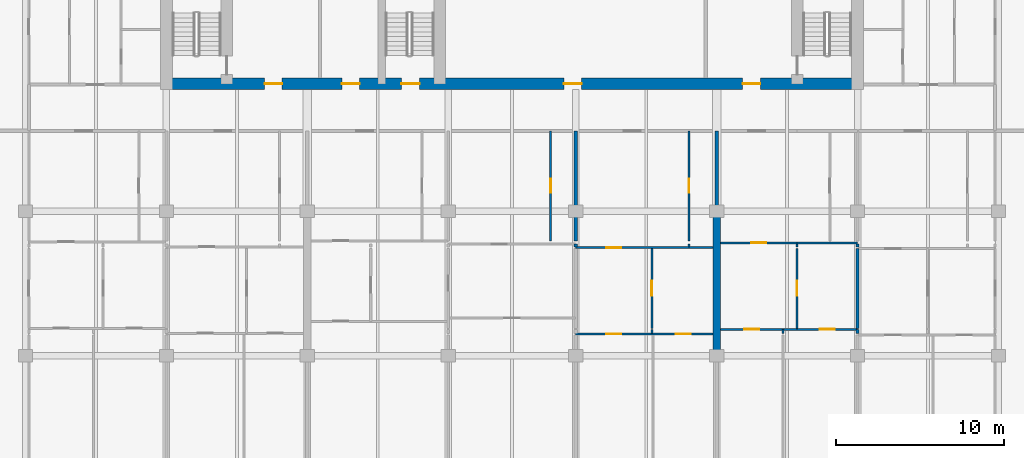
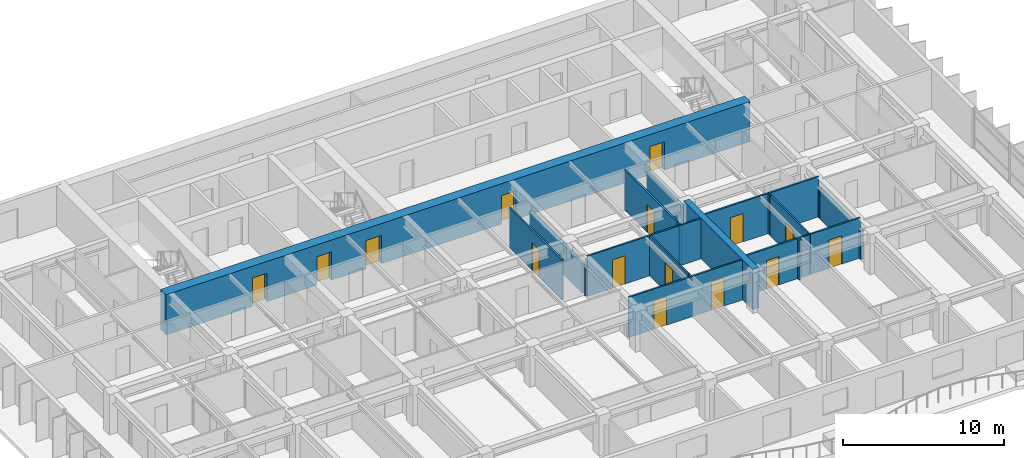
# One storey, part 10 of 17: 22 walls, 15 doors, 15 openings.
"""IFC4 building model written with IfcOpenShell, lengths in metres."""

from ifc_helpers import new_model, si_unit, direction, frame, frame_2d, origin, place, context, subcontext, project, spatial, rectangle, extrude, material, layer, layer_set, type_object, element, fill, save


model = new_model("IFC4")

# Units and contexts
model_context = context("Model", 3, precision=1e-05, world=origin(), true_north=direction((0.0, 1.0)))
body_context = subcontext(model_context, "Body", "Model", "MODEL_VIEW")
ifc_project = project(units=[si_unit("LENGTHUNIT", "METRE"), si_unit("AREAUNIT", "SQUARE_METRE"), si_unit("VOLUMEUNIT", "CUBIC_METRE"), si_unit("PLANEANGLEUNIT", "RADIAN"), si_unit("MASSUNIT", "GRAM", prefix="KILO")], contexts=[model_context])

# Site, building, storey
site_placement = place(None, origin())
site = spatial("IfcSite", under=ifc_project, at=site_placement, CompositionType="ELEMENT")
building_placement = place(site_placement, origin())
building = spatial("IfcBuilding", under=site, at=building_placement, Name="Caelmar Bay Residences", CompositionType="ELEMENT")
storey_placement = place(building_placement, frame((0.0, 0.0, 157.199951171875)))
storey = spatial("IfcBuildingStorey", under=building, at=storey_placement, Name="L43", CompositionType="ELEMENT", Elevation=157.199951171875)

# Wall, openings, doors
ifc_material_1 = material(Name="Concrete f'c 55 MPa (8,000 psi)", Category="concrete")
ifc_layer_1 = layer(ifc_material_1, 0.699951171875)
ifc_layer_set_1 = layer_set([ifc_layer_1], Name="Concrete f'c 55 MPa (8,000 psi)")
wall_type_1 = type_object("IfcWallType", Name="SW-COR-700", PredefinedType="SHEAR", material=ifc_layer_set_1)
wall_1_placement = place(storey_placement, frame((17.949951171875, 37.0, 0.0), z_axis=(0.0, 0.0, 1.0), x_axis=(1.0, 0.0, 0.0)))
wall_1 = element("IfcWall", 1, at=wall_1_placement, inside=storey, type_object=wall_type_1, Name="L43 Rear Core South Shear Wall", PredefinedType="SHEAR", context=body_context, shape_type="SweptSolid", body=[
    extrude(rectangle(XDim=41.900146484375, YDim=0.699951171875, at=frame_2d((20.9501953125, 0.0))), origin(), (0.0, 0.0, 1.0), 3.050048828125),
])
opening_1_placement = place(wall_1_placement, frame((14.35009765625, 0.0, 0.0)))
opening_1 = element("IfcOpeningElement", 2, at=opening_1_placement, cuts=wall_1, Name="Opening D-L43-105", PredefinedType="OPENING", context=body_context, shape_type="SweptSolid", body=[
    extrude(rectangle(XDim=1.10009765625, YDim=2.14990234375, at=frame_2d((0.550048828125, 1.074951171875))), frame((0.0, 0.35986328125, 0.0), z_axis=(0.0, -1.0, 0.0), x_axis=(1.0, 0.0, 0.0)), (0.0, 0.0, 1.0), 0.719970703125),
])
opening_2_placement = place(wall_1_placement, frame((6.199951171875, 0.0, 0.0)))
opening_2 = element("IfcOpeningElement", 3, at=opening_2_placement, cuts=wall_1, Name="Opening D-L43-106", PredefinedType="OPENING", context=body_context, shape_type="SweptSolid", body=[
    extrude(rectangle(XDim=1.050048828125, YDim=2.14990234375, at=frame_2d((0.52490234375, 1.074951171875))), frame((0.0, 0.35986328125, 0.0), z_axis=(0.0, -1.0, 0.0), x_axis=(1.0, 0.0, 0.0)), (0.0, 0.0, 1.0), 0.719970703125),
])
opening_3_placement = place(wall_1_placement, frame((34.699951171875, 0.0, 0.0)))
opening_3 = element("IfcOpeningElement", 4, at=opening_3_placement, cuts=wall_1, Name="Opening D-L43-109", PredefinedType="OPENING", context=body_context, shape_type="SweptSolid", body=[
    extrude(rectangle(XDim=1.050048828125, YDim=2.14990234375, at=frame_2d((0.52490234375, 1.074951171875))), frame((0.0, 0.35986328125, 0.0), z_axis=(0.0, -1.0, 0.0), x_axis=(1.0, 0.0, 0.0)), (0.0, 0.0, 1.0), 0.719970703125),
])
opening_4_placement = place(wall_1_placement, frame((10.8125, 0.0, 0.0)))
opening_4 = element("IfcOpeningElement", 5, at=opening_4_placement, cuts=wall_1, Name="Opening D-L43-112", PredefinedType="OPENING", context=body_context, shape_type="SweptSolid", body=[
    extrude(rectangle(XDim=1.050048828125, YDim=2.14990234375, at=frame_2d((0.52490234375, 1.074951171875))), frame((0.0, 0.35986328125, 0.0), z_axis=(0.0, -1.0, 0.0), x_axis=(1.0, 0.0, 0.0)), (0.0, 0.0, 1.0), 0.719970703125),
])
opening_5_placement = place(wall_1_placement, frame((24.050048828125, 0.0, 0.0)))
opening_5 = element("IfcOpeningElement", 6, at=opening_5_placement, cuts=wall_1, Name="Opening D-L43-113", PredefinedType="OPENING", context=body_context, shape_type="SweptSolid", body=[
    extrude(rectangle(XDim=1.050048828125, YDim=2.14990234375, at=frame_2d((0.52490234375, 1.074951171875))), frame((0.0, 0.35986328125, 0.0), z_axis=(0.0, -1.0, 0.0), x_axis=(1.0, 0.0, 0.0)), (0.0, 0.0, 1.0), 0.719970703125),
])
ifc_material_2 = material(Name="Fire-rated steel and walnut architectural door assembly", Category="steel")
ifc_layer_2 = layer(ifc_material_2, 0.050048828125)
ifc_layer_set_2 = layer_set([ifc_layer_2], Name="Fire-rated steel and walnut architectural door assembly")
door_type_1 = type_object("IfcDoorType", Name="D-FSAE-1050", OperationType="NOTDEFINED", PredefinedType="DOOR", material=ifc_layer_set_2)
door_1_placement = place(opening_2_placement, origin())
door_1 = element("IfcDoor", 7, at=door_1_placement, inside=storey, type_object=door_type_1, Name="L43 Firefighting Lobby West Door", OperationType="SINGLE_SWING_LEFT", OverallHeight=2.14990234375, OverallWidth=1.050048828125, PredefinedType="DOOR", context=body_context, shape_type="SweptSolid", body=[
    extrude(rectangle(XDim=1.050048828125, YDim=2.14990234375, at=frame_2d((0.52490234375, 1.074951171875))), frame((0.0, 0.02490234375, 0.0), z_axis=(0.0, -1.0, 0.0), x_axis=(1.0, 0.0, 0.0)), (0.0, 0.0, 1.0), 0.050048828125),
])
fill(opening_2, door_1)
door_2_placement = place(opening_3_placement, origin())
door_2 = element("IfcDoor", 8, at=door_2_placement, inside=storey, type_object=door_type_1, Name="L43 Firefighting Lobby East Door", OperationType="SINGLE_SWING_RIGHT", OverallHeight=2.14990234375, OverallWidth=1.050048828125, PredefinedType="DOOR", context=body_context, shape_type="SweptSolid", body=[
    extrude(rectangle(XDim=1.050048828125, YDim=2.14990234375, at=frame_2d((0.52490234375, 1.074951171875))), frame((0.0, 0.02490234375, 0.0), z_axis=(0.0, -1.0, 0.0), x_axis=(1.0, 0.0, 0.0)), (0.0, 0.0, 1.0), 0.050048828125),
])
fill(opening_3, door_2)
door_3_placement = place(opening_4_placement, origin())
door_3 = element("IfcDoor", 9, at=door_3_placement, inside=storey, type_object=door_type_1, Name="L43 West Lift Lobby Door", OperationType="SINGLE_SWING_LEFT", OverallHeight=2.14990234375, OverallWidth=1.050048828125, PredefinedType="DOOR", context=body_context, shape_type="SweptSolid", body=[
    extrude(rectangle(XDim=1.050048828125, YDim=2.14990234375, at=frame_2d((0.52490234375, 1.074951171875))), frame((0.0, 0.02490234375, 0.0), z_axis=(0.0, -1.0, 0.0), x_axis=(1.0, 0.0, 0.0)), (0.0, 0.0, 1.0), 0.050048828125),
])
fill(opening_4, door_3)
door_4_placement = place(opening_5_placement, origin())
door_4 = element("IfcDoor", 10, at=door_4_placement, inside=storey, type_object=door_type_1, Name="L43 Passenger Lift Lobby Door", OperationType="SINGLE_SWING_RIGHT", OverallHeight=2.14990234375, OverallWidth=1.050048828125, PredefinedType="DOOR", context=body_context, shape_type="SweptSolid", body=[
    extrude(rectangle(XDim=1.050048828125, YDim=2.14990234375, at=frame_2d((0.52490234375, 1.074951171875))), frame((0.0, 0.02490234375, 0.0), z_axis=(0.0, -1.0, 0.0), x_axis=(1.0, 0.0, 0.0)), (0.0, 0.0, 1.0), 0.050048828125),
])
fill(opening_5, door_4)
ifc_layer_3 = layer(ifc_material_2, 0.050048828125)
ifc_layer_set_3 = layer_set([ifc_layer_3], Name="Fire-rated steel and walnut architectural door assembly")
door_type_2 = type_object("IfcDoorType", Name="D-STAIR-1100", OperationType="NOTDEFINED", PredefinedType="DOOR", material=ifc_layer_set_3)
door_5_placement = place(opening_1_placement, origin())
door_5 = element("IfcDoor", 11, at=door_5_placement, inside=storey, type_object=door_type_2, Name="L43 Exit Stair ST3 Door", OperationType="SINGLE_SWING_RIGHT", OverallHeight=2.14990234375, OverallWidth=1.10009765625, PredefinedType="DOOR", context=body_context, shape_type="SweptSolid", body=[
    extrude(rectangle(XDim=1.10009765625, YDim=2.14990234375, at=frame_2d((0.550048828125, 1.074951171875))), frame((0.0, 0.02490234375, 0.0), z_axis=(0.0, -1.0, 0.0), x_axis=(1.0, 0.0, 0.0)), (0.0, 0.0, 1.0), 0.050048828125),
])
fill(opening_1, door_5)

# Wall
ifc_layer_4 = layer(ifc_material_1, 0.449951171875)
ifc_layer_set_4 = layer_set([ifc_layer_4], Name="Concrete f'c 55 MPa (8,000 psi)")
wall_type_2 = type_object("IfcWallType", Name="SW-XSLB-450", PredefinedType="SHEAR", material=ifc_layer_set_4)
wall_2_placement = place(storey_placement, frame((51.10009765625, 20.800048828125, 0.0), z_axis=(0.0, 0.0, 1.0), x_axis=(0.0, 1.0, 0.0)))
element("IfcWall", 12, at=wall_2_placement, inside=storey, type_object=wall_type_2, Name="L43 Transverse Cross-Slab Shear Wall E8", PredefinedType="SHEAR", context=body_context, shape_type="SweptSolid", body=[
    extrude(rectangle(XDim=8.599853515625, YDim=0.449951171875, at=frame_2d((4.2998046875, 0.0))), origin(), (0.0, 0.0, 1.0), 3.050048828125),
])

# Wall, opening, door
ifc_material_3 = material(Name="Acoustic metal-stud gypsum partition 120 mm")
ifc_layer_5 = layer(ifc_material_3, 0.1201171875)
ifc_layer_set_5 = layer_set([ifc_layer_5], Name="Acoustic metal-stud gypsum partition 120 mm")
wall_type_3 = type_object("IfcWallType", Name="W-PRT-120", PredefinedType="PARTITIONING", material=ifc_layer_set_5)
wall_3_placement = place(storey_placement, frame((41.199951171875, 27.639892578125, 0.0), z_axis=(0.0, 0.0, 1.0), x_axis=(0.0, 1.0, 0.0)))
wall_3 = element("IfcWall", 13, at=wall_3_placement, inside=storey, type_object=wall_type_3, Name="L43 Partition Wall V046", PredefinedType="PARTITIONING", context=body_context, shape_type="SweptSolid", body=[
    extrude(rectangle(XDim=6.56005859375, YDim=0.1201171875, at=frame_2d((3.280029296875, 0.0))), origin(), (0.0, 0.0, 1.0), 3.050048828125),
])
opening_6_placement = place(wall_3_placement, frame((2.85498046875, 0.0, 0.0)))
opening_6 = element("IfcOpeningElement", 14, at=opening_6_placement, cuts=wall_3, Name="Opening D-L43-139", PredefinedType="OPENING", context=body_context, shape_type="SweptSolid", body=[
    extrude(rectangle(XDim=0.85009765625, YDim=2.10009765625, at=frame_2d((0.425048828125, 1.050048828125))), frame((0.0, 0.070068359375, 0.0), z_axis=(0.0, -1.0, 0.0), x_axis=(1.0, 0.0, 0.0)), (0.0, 0.0, 1.0), 0.14013671875),
])
ifc_material_4 = material(Name="Solid walnut timber interior door leaf and frame", Category="wood")
ifc_layer_6 = layer(ifc_material_4, 0.050048828125)
ifc_layer_set_6 = layer_set([ifc_layer_6], Name="Solid walnut timber interior door leaf and frame")
door_type_3 = type_object("IfcDoorType", Name="D-BATH-850", OperationType="NOTDEFINED", PredefinedType="DOOR", material=ifc_layer_set_6)
door_6_placement = place(opening_6_placement, origin())
door_6 = element("IfcDoor", 15, at=door_6_placement, inside=storey, type_object=door_type_3, Name="L43 Residence 03 En-Suite Bathroom 1 Door", OperationType="SINGLE_SWING_RIGHT", OverallHeight=2.10009765625, OverallWidth=0.85009765625, PredefinedType="DOOR", context=body_context, shape_type="SweptSolid", body=[
    extrude(rectangle(XDim=0.85009765625, YDim=2.10009765625, at=frame_2d((0.425048828125, 1.050048828125))), frame((0.0, 0.02490234375, 0.0), z_axis=(0.0, -1.0, 0.0), x_axis=(1.0, 0.0, 0.0)), (0.0, 0.0, 1.0), 0.050048828125),
])
fill(opening_6, door_6)

# Wall
wall_4_placement = place(storey_placement, frame((47.236083984375, 22.1298828125, 0.0), z_axis=(0.0, 0.0, 1.0), x_axis=(0.0, 1.0, 0.0)))
element("IfcWall", 16, at=wall_4_placement, inside=storey, type_object=wall_type_3, Name="L43 Partition Wall V055", PredefinedType="PARTITIONING", context=body_context, shape_type="SweptSolid", body=[
    extrude(rectangle(XDim=0.240234375, YDim=0.1201171875, at=frame_2d((0.1201171875, 0.0))), origin(), (0.0, 0.0, 1.0), 3.050048828125),
])

# Wall, opening, door
wall_5_placement = place(storey_placement, frame((47.236083984375, 22.429931640625, 0.0), z_axis=(0.0, 0.0, 1.0), x_axis=(0.0, 1.0, 0.0)))
wall_5 = element("IfcWall", 17, at=wall_5_placement, inside=storey, type_object=wall_type_3, Name="L43 Partition Wall V056", PredefinedType="PARTITIONING", context=body_context, shape_type="SweptSolid", body=[
    extrude(rectangle(XDim=4.75, YDim=0.1201171875, at=frame_2d((2.375, 0.0))), origin(), (0.0, 0.0, 1.0), 3.050048828125),
])
opening_7_placement = place(wall_5_placement, frame((1.925048828125, 0.0, 0.0)))
opening_7 = element("IfcOpeningElement", 18, at=opening_7_placement, cuts=wall_5, Name="Opening D-L43-145", PredefinedType="OPENING", context=body_context, shape_type="SweptSolid", body=[
    extrude(rectangle(XDim=0.89990234375, YDim=2.14990234375, at=frame_2d((0.449951171875, 1.074951171875))), frame((0.0, 0.070068359375, 0.0), z_axis=(0.0, -1.0, 0.0), x_axis=(1.0, 0.0, 0.0)), (0.0, 0.0, 1.0), 0.14013671875),
])
ifc_layer_7 = layer(ifc_material_4, 0.050048828125)
ifc_layer_set_7 = layer_set([ifc_layer_7], Name="Solid walnut timber interior door leaf and frame")
door_type_4 = type_object("IfcDoorType", Name="D-ROOM-900", OperationType="NOTDEFINED", PredefinedType="DOOR", material=ifc_layer_set_7)
door_7_placement = place(opening_7_placement, origin())
door_7 = element("IfcDoor", 19, at=door_7_placement, inside=storey, type_object=door_type_4, Name="L43 Residence 04 Study Door", OperationType="SINGLE_SWING_RIGHT", OverallHeight=2.14990234375, OverallWidth=0.89990234375, PredefinedType="DOOR", context=body_context, shape_type="SweptSolid", body=[
    extrude(rectangle(XDim=0.89990234375, YDim=2.14990234375, at=frame_2d((0.449951171875, 1.074951171875))), frame((0.0, 0.02490234375, 0.0), z_axis=(0.0, -1.0, 0.0), x_axis=(1.0, 0.0, 0.0)), (0.0, 0.0, 1.0), 0.050048828125),
])
fill(opening_7, door_7)

# Wall
wall_6_placement = place(storey_placement, frame((49.449951171875, 27.280029296875, 0.0), z_axis=(0.0, 0.0, 1.0), x_axis=(0.0, 1.0, 0.0)))
element("IfcWall", 20, at=wall_6_placement, inside=storey, type_object=wall_type_3, Name="L43 Partition Wall V060", PredefinedType="PARTITIONING", context=body_context, shape_type="SweptSolid", body=[
    extrude(rectangle(XDim=0.159912109375, YDim=0.1201171875, at=frame_2d((0.080078125, 0.0))), origin(), (0.0, 0.0, 1.0), 3.050048828125),
])

# Wall, opening, door
wall_7_placement = place(storey_placement, frame((49.449951171875, 27.639892578125, 0.0), z_axis=(0.0, 0.0, 1.0), x_axis=(0.0, 1.0, 0.0)))
wall_7 = element("IfcWall", 21, at=wall_7_placement, inside=storey, type_object=wall_type_3, Name="L43 Partition Wall V061", PredefinedType="PARTITIONING", context=body_context, shape_type="SweptSolid", body=[
    extrude(rectangle(XDim=6.56005859375, YDim=0.1201171875, at=frame_2d((3.280029296875, 0.0))), origin(), (0.0, 0.0, 1.0), 3.050048828125),
])
opening_8_placement = place(wall_7_placement, frame((2.85498046875, 0.0, 0.0)))
opening_8 = element("IfcOpeningElement", 22, at=opening_8_placement, cuts=wall_7, Name="Opening D-L43-143", PredefinedType="OPENING", context=body_context, shape_type="SweptSolid", body=[
    extrude(rectangle(XDim=0.85009765625, YDim=2.10009765625, at=frame_2d((0.425048828125, 1.050048828125))), frame((0.0, 0.070068359375, 0.0), z_axis=(0.0, -1.0, 0.0), x_axis=(1.0, 0.0, 0.0)), (0.0, 0.0, 1.0), 0.14013671875),
])
door_8_placement = place(opening_8_placement, origin())
door_8 = element("IfcDoor", 23, at=door_8_placement, inside=storey, type_object=door_type_3, Name="L43 Residence 04 Bathroom Door", OperationType="SINGLE_SWING_RIGHT", OverallHeight=2.10009765625, OverallWidth=0.85009765625, PredefinedType="DOOR", context=body_context, shape_type="SweptSolid", body=[
    extrude(rectangle(XDim=0.85009765625, YDim=2.10009765625, at=frame_2d((0.425048828125, 1.050048828125))), frame((0.0, 0.02490234375, 0.0), z_axis=(0.0, -1.0, 0.0), x_axis=(1.0, 0.0, 0.0)), (0.0, 0.0, 1.0), 0.050048828125),
])
fill(opening_8, door_8)

# Wall
wall_8_placement = place(storey_placement, frame((55.048095703125, 22.1298828125, 0.0), z_axis=(0.0, 0.0, 1.0), x_axis=(0.0, 1.0, 0.0)))
element("IfcWall", 24, at=wall_8_placement, inside=storey, type_object=wall_type_3, Name="L43 Partition Wall V070", PredefinedType="PARTITIONING", context=body_context, shape_type="SweptSolid", body=[
    extrude(rectangle(XDim=0.240234375, YDim=0.1201171875, at=frame_2d((0.1201171875, 0.0))), origin(), (0.0, 0.0, 1.0), 3.050048828125),
])

# Wall, opening, door
wall_9_placement = place(storey_placement, frame((55.885986328125, 22.429931640625, 0.0), z_axis=(0.0, 0.0, 1.0), x_axis=(0.0, 1.0, 0.0)))
wall_9 = element("IfcWall", 25, at=wall_9_placement, inside=storey, type_object=wall_type_3, Name="L43 Partition Wall V071", PredefinedType="PARTITIONING", context=body_context, shape_type="SweptSolid", body=[
    extrude(rectangle(XDim=4.75, YDim=0.1201171875, at=frame_2d((2.375, 0.0))), origin(), (0.0, 0.0, 1.0), 3.050048828125),
])
opening_9_placement = place(wall_9_placement, frame((1.925048828125, 0.0, 0.0)))
opening_9 = element("IfcOpeningElement", 26, at=opening_9_placement, cuts=wall_9, Name="Opening D-L43-151", PredefinedType="OPENING", context=body_context, shape_type="SweptSolid", body=[
    extrude(rectangle(XDim=0.89990234375, YDim=2.14990234375, at=frame_2d((0.449951171875, 1.074951171875))), frame((0.0, 0.070068359375, 0.0), z_axis=(0.0, -1.0, 0.0), x_axis=(1.0, 0.0, 0.0)), (0.0, 0.0, 1.0), 0.14013671875),
])
door_9_placement = place(opening_9_placement, origin())
door_9 = element("IfcDoor", 27, at=door_9_placement, inside=storey, type_object=door_type_4, Name="L43 Residence 05 Study Door", OperationType="SINGLE_SWING_RIGHT", OverallHeight=2.14990234375, OverallWidth=0.89990234375, PredefinedType="DOOR", context=body_context, shape_type="SweptSolid", body=[
    extrude(rectangle(XDim=0.89990234375, YDim=2.14990234375, at=frame_2d((0.449951171875, 1.074951171875))), frame((0.0, 0.02490234375, 0.0), z_axis=(0.0, -1.0, 0.0), x_axis=(1.0, 0.0, 0.0)), (0.0, 0.0, 1.0), 0.050048828125),
])
fill(opening_9, door_9)

# Wall
wall_10_placement = place(storey_placement, frame((55.885986328125, 27.280029296875, 0.0), z_axis=(0.0, 0.0, 1.0), x_axis=(0.0, 1.0, 0.0)))
element("IfcWall", 28, at=wall_10_placement, inside=storey, type_object=wall_type_3, Name="L43 Partition Wall V072", PredefinedType="PARTITIONING", context=body_context, shape_type="SweptSolid", body=[
    extrude(rectangle(XDim=0.159912109375, YDim=0.1201171875, at=frame_2d((0.080078125, 0.0))), origin(), (0.0, 0.0, 1.0), 3.050048828125),
])

# Wall, openings, doors
wall_11_placement = place(storey_placement, frame((42.699951171875, 22.090087890625, 0.0), z_axis=(0.0, 0.0, 1.0), x_axis=(1.0, 0.0, 0.0)))
wall_11 = element("IfcWall", 29, at=wall_11_placement, inside=storey, type_object=wall_type_3, Name="L43 Partition Wall H102", PredefinedType="PARTITIONING", context=body_context, shape_type="SweptSolid", body=[
    extrude(rectangle(XDim=8.179931640625, YDim=0.1201171875, at=frame_2d((4.08984375, 0.0))), origin(), (0.0, 0.0, 1.0), 3.050048828125),
])
opening_10_placement = place(wall_11_placement, frame((1.818115234375, 0.0, 0.0)))
opening_10 = element("IfcOpeningElement", 30, at=opening_10_placement, cuts=wall_11, Name="Opening D-L43-146", PredefinedType="OPENING", context=body_context, shape_type="SweptSolid", body=[
    extrude(rectangle(XDim=0.89990234375, YDim=2.14990234375, at=frame_2d((0.449951171875, 1.074951171875))), frame((0.0, 0.070068359375, 0.0), z_axis=(0.0, -1.0, 0.0), x_axis=(1.0, 0.0, 0.0)), (0.0, 0.0, 1.0), 0.14013671875),
])
opening_11_placement = place(wall_11_placement, frame((5.949951171875, 0.0, 0.0)))
opening_11 = element("IfcOpeningElement", 31, at=opening_11_placement, cuts=wall_11, Name="Opening D-L43-147", PredefinedType="OPENING", context=body_context, shape_type="SweptSolid", body=[
    extrude(rectangle(XDim=0.89990234375, YDim=2.14990234375, at=frame_2d((0.449951171875, 1.074951171875))), frame((0.0, 0.070068359375, 0.0), z_axis=(0.0, -1.0, 0.0), x_axis=(1.0, 0.0, 0.0)), (0.0, 0.0, 1.0), 0.14013671875),
])
door_10_placement = place(opening_10_placement, origin())
door_10 = element("IfcDoor", 32, at=door_10_placement, inside=storey, type_object=door_type_4, Name="L43 Residence 04 Living Room Door", OperationType="SINGLE_SWING_LEFT", OverallHeight=2.14990234375, OverallWidth=0.89990234375, PredefinedType="DOOR", context=body_context, shape_type="SweptSolid", body=[
    extrude(rectangle(XDim=0.89990234375, YDim=2.14990234375, at=frame_2d((0.449951171875, 1.074951171875))), frame((0.0, 0.02490234375, 0.0), z_axis=(0.0, -1.0, 0.0), x_axis=(1.0, 0.0, 0.0)), (0.0, 0.0, 1.0), 0.050048828125),
])
fill(opening_10, door_10)
door_11_placement = place(opening_11_placement, origin())
door_11 = element("IfcDoor", 33, at=door_11_placement, inside=storey, type_object=door_type_4, Name="L43 Residence 04 Primary Bedroom Door", OperationType="SINGLE_SWING_RIGHT", OverallHeight=2.14990234375, OverallWidth=0.89990234375, PredefinedType="DOOR", context=body_context, shape_type="SweptSolid", body=[
    extrude(rectangle(XDim=0.89990234375, YDim=2.14990234375, at=frame_2d((0.449951171875, 1.074951171875))), frame((0.0, 0.02490234375, 0.0), z_axis=(0.0, -1.0, 0.0), x_axis=(1.0, 0.0, 0.0)), (0.0, 0.0, 1.0), 0.050048828125),
])
fill(opening_11, door_11)

# Wall, opening, door
wall_12_placement = place(storey_placement, frame((51.320068359375, 22.3701171875, 0.0), z_axis=(0.0, 0.0, 1.0), x_axis=(1.0, 0.0, 0.0)))
wall_12 = element("IfcWall", 34, at=wall_12_placement, inside=storey, type_object=wall_type_3, Name="L43 Partition Wall H104", PredefinedType="PARTITIONING", context=body_context, shape_type="SweptSolid", body=[
    extrude(rectangle(XDim=4.56591796875, YDim=0.1201171875, at=frame_2d((2.282958984375, 0.0))), origin(), (0.0, 0.0, 1.0), 3.050048828125),
])
opening_12_placement = place(wall_12_placement, frame((1.4140625, 0.0, 0.0)))
opening_12 = element("IfcOpeningElement", 35, at=opening_12_placement, cuts=wall_12, Name="Opening D-L43-152", PredefinedType="OPENING", context=body_context, shape_type="SweptSolid", body=[
    extrude(rectangle(XDim=0.89990234375, YDim=2.14990234375, at=frame_2d((0.449951171875, 1.074951171875))), frame((0.0, 0.070068359375, 0.0), z_axis=(0.0, -1.0, 0.0), x_axis=(1.0, 0.0, 0.0)), (0.0, 0.0, 1.0), 0.14013671875),
])
door_12_placement = place(opening_12_placement, origin())
door_12 = element("IfcDoor", 36, at=door_12_placement, inside=storey, type_object=door_type_4, Name="L43 Residence 05 Living Room Door", OperationType="SINGLE_SWING_LEFT", OverallHeight=2.14990234375, OverallWidth=0.89990234375, PredefinedType="DOOR", context=body_context, shape_type="SweptSolid", body=[
    extrude(rectangle(XDim=0.89990234375, YDim=2.14990234375, at=frame_2d((0.449951171875, 1.074951171875))), frame((0.0, 0.02490234375, 0.0), z_axis=(0.0, -1.0, 0.0), x_axis=(1.0, 0.0, 0.0)), (0.0, 0.0, 1.0), 0.050048828125),
])
fill(opening_12, door_12)

wall_13_placement = place(storey_placement, frame((55.89990234375, 22.3701171875, 0.0), z_axis=(0.0, 0.0, 1.0), x_axis=(1.0, 0.0, 0.0)))
wall_13 = element("IfcWall", 37, at=wall_13_placement, inside=storey, type_object=wall_type_3, Name="L43 Partition Wall H105", PredefinedType="PARTITIONING", context=body_context, shape_type="SweptSolid", body=[
    extrude(rectangle(XDim=3.60009765625, YDim=0.1201171875, at=frame_2d((1.800048828125, 0.0))), origin(), (0.0, 0.0, 1.0), 3.050048828125),
])
opening_13_placement = place(wall_13_placement, frame((1.35009765625, 0.0, 0.0)))
opening_13 = element("IfcOpeningElement", 38, at=opening_13_placement, cuts=wall_13, Name="Opening D-L43-153", PredefinedType="OPENING", context=body_context, shape_type="SweptSolid", body=[
    extrude(rectangle(XDim=0.89990234375, YDim=2.14990234375, at=frame_2d((0.449951171875, 1.074951171875))), frame((0.0, 0.070068359375, 0.0), z_axis=(0.0, -1.0, 0.0), x_axis=(1.0, 0.0, 0.0)), (0.0, 0.0, 1.0), 0.14013671875),
])
door_13_placement = place(opening_13_placement, origin())
door_13 = element("IfcDoor", 39, at=door_13_placement, inside=storey, type_object=door_type_4, Name="L43 Residence 05 Penthouse Sitting Room Door", OperationType="SINGLE_SWING_RIGHT", OverallHeight=2.14990234375, OverallWidth=0.89990234375, PredefinedType="DOOR", context=body_context, shape_type="SweptSolid", body=[
    extrude(rectangle(XDim=0.89990234375, YDim=2.14990234375, at=frame_2d((0.449951171875, 1.074951171875))), frame((0.0, 0.02490234375, 0.0), z_axis=(0.0, -1.0, 0.0), x_axis=(1.0, 0.0, 0.0)), (0.0, 0.0, 1.0), 0.050048828125),
])
fill(opening_13, door_13)

wall_14_placement = place(storey_placement, frame((42.699951171875, 27.239990234375, 0.0), z_axis=(0.0, 0.0, 1.0), x_axis=(1.0, 0.0, 0.0)))
wall_14 = element("IfcWall", 40, at=wall_14_placement, inside=storey, type_object=wall_type_3, Name="L43 Partition Wall H110", PredefinedType="PARTITIONING", context=body_context, shape_type="SweptSolid", body=[
    extrude(rectangle(XDim=8.179931640625, YDim=0.1201171875, at=frame_2d((4.08984375, 0.0))), origin(), (0.0, 0.0, 1.0), 3.050048828125),
])
opening_14_placement = place(wall_14_placement, frame((1.818115234375, 0.0, 0.0)))
opening_14 = element("IfcOpeningElement", 41, at=opening_14_placement, cuts=wall_14, Name="Opening D-L43-144", PredefinedType="OPENING", context=body_context, shape_type="SweptSolid", body=[
    extrude(rectangle(XDim=0.89990234375, YDim=2.14990234375, at=frame_2d((0.449951171875, 1.074951171875))), frame((0.0, 0.070068359375, 0.0), z_axis=(0.0, -1.0, 0.0), x_axis=(1.0, 0.0, 0.0)), (0.0, 0.0, 1.0), 0.14013671875),
])
door_14_placement = place(opening_14_placement, origin())
door_14 = element("IfcDoor", 42, at=door_14_placement, inside=storey, type_object=door_type_4, Name="L43 Residence 04 Kitchen Door", OperationType="SINGLE_SWING_LEFT", OverallHeight=2.14990234375, OverallWidth=0.89990234375, PredefinedType="DOOR", context=body_context, shape_type="SweptSolid", body=[
    extrude(rectangle(XDim=0.89990234375, YDim=2.14990234375, at=frame_2d((0.449951171875, 1.074951171875))), frame((0.0, 0.02490234375, 0.0), z_axis=(0.0, -1.0, 0.0), x_axis=(1.0, 0.0, 0.0)), (0.0, 0.0, 1.0), 0.050048828125),
])
fill(opening_14, door_14)

wall_15_placement = place(storey_placement, frame((51.320068359375, 27.52001953125, 0.0), z_axis=(0.0, 0.0, 1.0), x_axis=(1.0, 0.0, 0.0)))
wall_15 = element("IfcWall", 43, at=wall_15_placement, inside=storey, type_object=wall_type_3, Name="L43 Partition Wall H113", PredefinedType="PARTITIONING", context=body_context, shape_type="SweptSolid", body=[
    extrude(rectangle(XDim=4.56591796875, YDim=0.1201171875, at=frame_2d((2.282958984375, 0.0))), origin(), (0.0, 0.0, 1.0), 3.050048828125),
])
opening_15_placement = place(wall_15_placement, frame((1.8330078125, 0.0, 0.0)))
opening_15 = element("IfcOpeningElement", 44, at=opening_15_placement, cuts=wall_15, Name="Opening D-L43-150", PredefinedType="OPENING", context=body_context, shape_type="SweptSolid", body=[
    extrude(rectangle(XDim=0.89990234375, YDim=2.14990234375, at=frame_2d((0.449951171875, 1.074951171875))), frame((0.0, 0.070068359375, 0.0), z_axis=(0.0, -1.0, 0.0), x_axis=(1.0, 0.0, 0.0)), (0.0, 0.0, 1.0), 0.14013671875),
])
door_15_placement = place(opening_15_placement, origin())
door_15 = element("IfcDoor", 45, at=door_15_placement, inside=storey, type_object=door_type_4, Name="L43 Residence 05 Kitchen Door", OperationType="SINGLE_SWING_LEFT", OverallHeight=2.14990234375, OverallWidth=0.89990234375, PredefinedType="DOOR", context=body_context, shape_type="SweptSolid", body=[
    extrude(rectangle(XDim=0.89990234375, YDim=2.14990234375, at=frame_2d((0.449951171875, 1.074951171875))), frame((0.0, 0.02490234375, 0.0), z_axis=(0.0, -1.0, 0.0), x_axis=(1.0, 0.0, 0.0)), (0.0, 0.0, 1.0), 0.050048828125),
])
fill(opening_15, door_15)

# Walls
wall_16_placement = place(storey_placement, frame((55.89990234375, 27.52001953125, 0.0), z_axis=(0.0, 0.0, 1.0), x_axis=(1.0, 0.0, 0.0)))
element("IfcWall", 46, at=wall_16_placement, inside=storey, type_object=wall_type_3, Name="L43 Partition Wall H114", PredefinedType="PARTITIONING", context=body_context, shape_type="SweptSolid", body=[
    extrude(rectangle(XDim=3.60009765625, YDim=0.1201171875, at=frame_2d((1.800048828125, 0.0))), origin(), (0.0, 0.0, 1.0), 3.050048828125),
])
ifc_material_5 = material(Name="Acoustic twin-stud fire-rated inter-tenancy partition 200 mm")
ifc_layer_8 = layer(ifc_material_5, 0.199951171875)
ifc_layer_set_8 = layer_set([ifc_layer_8], Name="Acoustic twin-stud fire-rated inter-tenancy partition 200 mm")
wall_type_4 = type_object("IfcWallType", Name="W-PTY-200", PredefinedType="PARTITIONING", material=ifc_layer_set_8)
wall_17_placement = place(storey_placement, frame((42.699951171875, 27.280029296875, 0.0), z_axis=(0.0, 0.0, 1.0), x_axis=(0.0, 1.0, 0.0)))
element("IfcWall", 47, at=wall_17_placement, inside=storey, type_object=wall_type_4, Name="L43 Partition Wall V051", PredefinedType="PARTITIONING", context=body_context, shape_type="SweptSolid", body=[
    extrude(rectangle(XDim=0.159912109375, YDim=0.199951171875, at=frame_2d((0.080078125, 0.0))), origin(), (0.0, 0.0, 1.0), 2.262939453125),
])
wall_18_placement = place(storey_placement, frame((42.699951171875, 27.639892578125, 0.0), z_axis=(0.0, 0.0, 1.0), x_axis=(0.0, 1.0, 0.0)))
element("IfcWall", 48, at=wall_18_placement, inside=storey, type_object=wall_type_4, Name="L43 Partition Wall V052", PredefinedType="PARTITIONING", context=body_context, shape_type="SweptSolid", body=[
    extrude(rectangle(XDim=6.56005859375, YDim=0.199951171875, at=frame_2d((3.280029296875, 0.0))), origin(), (0.0, 0.0, 1.0), 2.262939453125),
])
wall_19_placement = place(storey_placement, frame((51.10009765625, 29.405029296875, 0.0), z_axis=(0.0, 0.0, 1.0), x_axis=(0.0, 1.0, 0.0)))
element("IfcWall", 49, at=wall_19_placement, inside=storey, type_object=wall_type_4, Name="L43 Partition Wall V066", PredefinedType="PARTITIONING", context=body_context, shape_type="SweptSolid", body=[
    extrude(rectangle(XDim=4.794921875, YDim=0.199951171875, at=frame_2d((2.3974609375, 0.0))), origin(), (0.0, 0.0, 1.0), 2.3349609375),
])
wall_20_placement = place(storey_placement, frame((59.5, 22.1298828125, 0.0), z_axis=(0.0, 0.0, 1.0), x_axis=(0.0, 1.0, 0.0)))
element("IfcWall", 50, at=wall_20_placement, inside=storey, type_object=wall_type_4, Name="L43 Partition Wall V077", PredefinedType="PARTITIONING", context=body_context, shape_type="SweptSolid", body=[
    extrude(rectangle(XDim=0.240234375, YDim=0.199951171875, at=frame_2d((0.1201171875, 0.0))), origin(), (0.0, 0.0, 1.0), 2.262939453125),
])
wall_21_placement = place(storey_placement, frame((59.5, 22.429931640625, 0.0), z_axis=(0.0, 0.0, 1.0), x_axis=(0.0, 1.0, 0.0)))
element("IfcWall", 51, at=wall_21_placement, inside=storey, type_object=wall_type_4, Name="L43 Partition Wall V078", PredefinedType="PARTITIONING", context=body_context, shape_type="SweptSolid", body=[
    extrude(rectangle(XDim=4.75, YDim=0.199951171875, at=frame_2d((2.375, 0.0))), origin(), (0.0, 0.0, 1.0), 2.262939453125),
])
wall_22_placement = place(storey_placement, frame((59.5, 27.280029296875, 0.0), z_axis=(0.0, 0.0, 1.0), x_axis=(0.0, 1.0, 0.0)))
element("IfcWall", 52, at=wall_22_placement, inside=storey, type_object=wall_type_4, Name="L43 Partition Wall V079", PredefinedType="PARTITIONING", context=body_context, shape_type="SweptSolid", body=[
    extrude(rectangle(XDim=0.159912109375, YDim=0.199951171875, at=frame_2d((0.080078125, 0.0))), origin(), (0.0, 0.0, 1.0), 2.262939453125),
])

save(model, "model.ifc")
